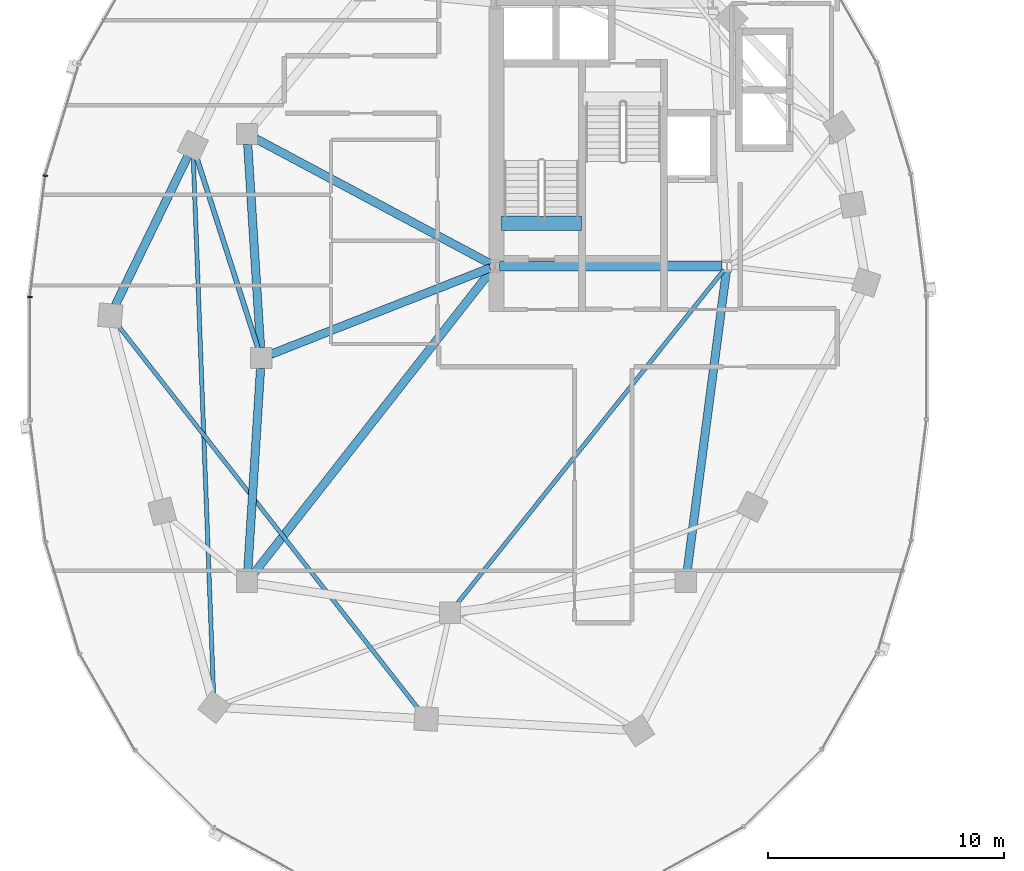
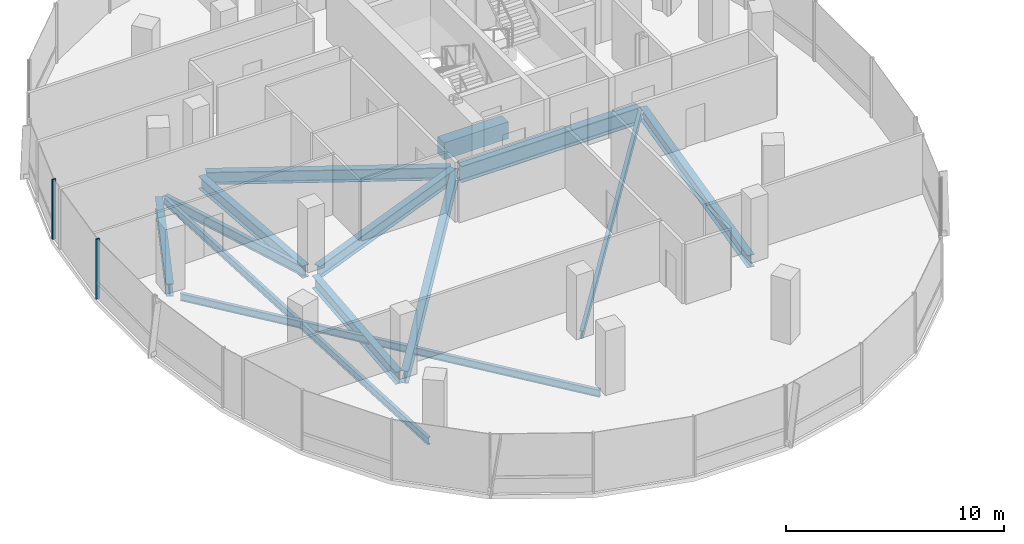
# One storey, part 3 of 22: 13 beams, 2 members, 1 element without a shape of its own.
"""IFC4 building model written with IfcOpenShell, lengths in metres."""

from ifc_helpers import new_model, si_unit, direction, frame, origin, origin_2d, place, context, subcontext, project, spatial, rectangle, i_section, extrude, material, material_profile, profile_set, type_object, element, aggregate, save


model = new_model("IFC4")

# Units and contexts
model_context = context("Model", 3, precision=1e-05, world=origin(), true_north=direction((0.0, 1.0)))
body_context = subcontext(model_context, "Body", "Model", "MODEL_VIEW")
ifc_project = project(units=[si_unit("LENGTHUNIT", "METRE"), si_unit("AREAUNIT", "SQUARE_METRE"), si_unit("VOLUMEUNIT", "CUBIC_METRE"), si_unit("PLANEANGLEUNIT", "RADIAN"), si_unit("MASSUNIT", "GRAM", prefix="KILO"), si_unit("THERMODYNAMICTEMPERATUREUNIT", "KELVIN"), si_unit("POWERUNIT", "WATT")], contexts=[model_context])

# Site, building, storey
site_placement = place(None, origin())
site = spatial("IfcSite", under=ifc_project, at=site_placement, CompositionType="ELEMENT")
building_placement = place(site_placement, origin())
building = spatial("IfcBuilding", under=site, at=building_placement, Name="Cundina Bronze Exchange", CompositionType="ELEMENT")
storey_placement = place(building_placement, frame((0.0, 0.0, 151.199951171875)))
storey = spatial("IfcBuildingStorey", under=building, at=storey_placement, Name="L39", CompositionType="ELEMENT", Elevation=151.199951171875)

# Beams
ifc_material_1 = material(Name="Concrete C60/75", Category="concrete")
ifc_material_profile_1 = material_profile(ifc_material_1, rectangle(XDim=0.60009765625, YDim=0.949951171875, at=origin_2d()), Name="RC600X950", Category="concrete")
ifc_profile_set_1 = profile_set([ifc_material_profile_1], Name="Concrete C60/75")
beam_type_1 = type_object("IfcBeamType", Name="BM-COUP-RC950", PredefinedType="LINTEL", material=ifc_profile_set_1)
beam_1_placement = place(storey_placement, frame((-31.02001953125, 5.719970703125, -0.474853515625), z_axis=(1.0, 0.0, 0.0), x_axis=(0.0, 1.0, 0.0)))
element("IfcBeam", 1, at=beam_1_placement, inside=storey, type_object=beam_type_1, Name="L39 Stair W1 Landing Header Beam", PredefinedType="LINTEL", context=body_context, shape_type="SweptSolid", body=[
    extrude(rectangle(XDim=0.60009765625, YDim=0.949951171875, at=origin_2d()), origin(), (0.0, 0.0, 1.0), 3.39990234375),
])
ifc_material_2 = material(Name="Steel ASTM A992 Grade 50", Category="steel")
ifc_material_profile_2 = material_profile(ifc_material_2, i_section(OverallWidth=0.2119140625, OverallDepth=0.5439453125, WebThickness=0.01318359375, FlangeThickness=0.021240234375, FilletRadius=0.013916015625, at=origin_2d()), Name="W21X83", Category="steel")
ifc_profile_set_2 = profile_set([ifc_material_profile_2], Name="Steel ASTM A992 Grade 50")
beam_type_2 = type_object("IfcBeamType", Name="BM-FLR-W21A", PredefinedType="BEAM", material=ifc_profile_set_2)
beam_2_placement = place(storey_placement, frame((-41.334228515625, 0.4169921875, -0.511962890625), z_axis=(-0.30669751302, 0.951807036908, 0.0), x_axis=(-0.951807036908, -0.30669751302, 0.0)))
element("IfcBeam", 2, at=beam_2_placement, inside=storey, type_object=beam_type_2, Name="L39 Leg W Radial Floor Beam 07", PredefinedType="BEAM", context=body_context, shape_type="SweptSolid", body=[
    extrude(i_section(OverallWidth=0.2119140625, OverallDepth=0.5439453125, WebThickness=0.01318359375, FlangeThickness=0.021240234375, FilletRadius=0.013916015625, at=origin_2d()), origin(), (0.0, 0.0, 1.0), 8.529541015625),
])
ifc_material_profile_3 = material_profile(ifc_material_2, i_section(OverallWidth=0.178955078125, OverallDepth=0.409912109375, WebThickness=0.0087890625, FlangeThickness=0.014404296875, FilletRadius=0.010986328125, at=origin_2d()), Name="W16X45", Category="steel")
ifc_profile_set_3 = profile_set([ifc_material_profile_3], Name="Steel ASTM A992 Grade 50")
beam_type_3 = type_object("IfcBeamType", Name="BM-JST-W16", PredefinedType="JOIST", material=ifc_profile_set_3)
beam_3_placement = place(storey_placement, frame((-21.577392578125, 3.740478515625, -0.445068359375), z_axis=(-0.624370675223, -0.781128196854, 0.0), x_axis=(0.781128196854, -0.624370675223, 0.0)))
element("IfcBeam", 3, at=beam_3_placement, inside=storey, type_object=beam_type_3, Name="L39 W Interior Core-to-Ring Joist 2", PredefinedType="JOIST", context=body_context, shape_type="SweptSolid", body=[
    extrude(i_section(OverallWidth=0.178955078125, OverallDepth=0.409912109375, WebThickness=0.0087890625, FlangeThickness=0.014404296875, FilletRadius=0.010986328125, at=origin_2d()), origin(), (0.0, 0.0, 1.0), 18.177001953125),
])
beam_4_placement = place(storey_placement, frame((-44.08154296875, 8.51220703125, -0.445068359375), z_axis=(0.037784933381, -0.999285894431, 0.0), x_axis=(0.999285894431, 0.037784933381, 0.0)))
element("IfcBeam", 4, at=beam_4_placement, inside=storey, type_object=beam_type_3, Name="L39 Leg W Lobe Floor Joist 07-10", PredefinedType="JOIST", context=body_context, shape_type="SweptSolid", body=[
    extrude(i_section(OverallWidth=0.178955078125, OverallDepth=0.409912109375, WebThickness=0.0087890625, FlangeThickness=0.014404296875, FilletRadius=0.010986328125, at=origin_2d()), origin(), (0.0, 0.0, 1.0), 22.8408203125),
])
beam_5_placement = place(storey_placement, frame((-47.299072265625, 1.416015625, -0.445068359375), z_axis=(0.616801484103, -0.787118751656, 0.0), x_axis=(0.787118751656, 0.616801484103, 0.0)))
element("IfcBeam", 5, at=beam_5_placement, inside=storey, type_object=beam_type_3, Name="L39 Leg W Lobe Floor Joist 08-11", PredefinedType="JOIST", context=body_context, shape_type="SweptSolid", body=[
    extrude(i_section(OverallWidth=0.178955078125, OverallDepth=0.409912109375, WebThickness=0.0087890625, FlangeThickness=0.014404296875, FilletRadius=0.010986328125, at=origin_2d()), origin(), (0.0, 0.0, 1.0), 20.7490234375),
])
ifc_material_profile_4 = material_profile(ifc_material_2, i_section(OverallWidth=0.35498046875, OverallDepth=0.695068359375, WebThickness=0.015380859375, FlangeThickness=0.02490234375, FilletRadius=0.01806640625, at=origin_2d()), Name="W27X146", Category="steel")
ifc_profile_set_4 = profile_set([ifc_material_profile_4], Name="Steel ASTM A992 Grade 50")
beam_type_4 = type_object("IfcBeamType", Name="BM-RING-W27", PredefinedType="USERDEFINED", material=ifc_profile_set_4)
for number, where, z_axis, x_axis, name in (
    (6, (-41.7724609375, 9.06298828125, -0.58740234375), (0.063046519736, -0.998010589297, 0.0), (0.998010589297, 0.063046519736, 0.0), "L39 W Inner Structural Ring Girder 03"),
    (7, (-41.2275390625, -0.43701171875, -0.58740234375), (-0.063046519736, -0.998010589297, 0.0), (0.998010589297, -0.063046519736, 0.0), "L39 W Inner Structural Ring Girder 04"),
):
    element("IfcBeam", number, at=place(storey_placement, frame(where, z_axis=z_axis, x_axis=x_axis)), inside=storey, type_object=beam_type_4, Name=name, ObjectType="GIRDER", PredefinedType="USERDEFINED", context=body_context, shape_type="SweptSolid", body=[
        extrude(i_section(OverallWidth=0.35498046875, OverallDepth=0.695068359375, WebThickness=0.015380859375, FlangeThickness=0.02490234375, FilletRadius=0.01806640625, at=origin_2d()), origin(), (0.0, 0.0, 1.0), 8.64306640625),
    ])
beam_6_placement = place(storey_placement, frame((-23.143310546875, -9.065673828125, -0.58740234375), z_axis=(0.129507030047, 0.991578503785, 0.0), x_axis=(-0.991578503785, 0.129507030047, 0.0)))
element("IfcBeam", 8, at=beam_6_placement, inside=storey, type_object=beam_type_4, Name="L39 W Inner Structural Ring Girder 07", ObjectType="GIRDER", PredefinedType="USERDEFINED", context=body_context, shape_type="SweptSolid", body=[
    extrude(i_section(OverallWidth=0.35498046875, OverallDepth=0.695068359375, WebThickness=0.015380859375, FlangeThickness=0.02490234375, FilletRadius=0.01806640625, at=origin_2d()), origin(), (0.0, 0.0, 1.0), 12.871826171875),
])
beam_7_placement = place(storey_placement, frame((-31.48974609375, 3.8251953125, -0.58740234375), z_axis=(-0.930405617189, -0.36653156413, 0.0), x_axis=(0.36653156413, -0.930405617189, 0.0)))
element("IfcBeam", 9, at=beam_7_placement, inside=storey, type_object=beam_type_4, Name="L39 W Core-to-Waist Tie Beam 1", ObjectType="GIRDER", PredefinedType="USERDEFINED", context=body_context, shape_type="SweptSolid", body=[
    extrude(i_section(OverallWidth=0.35498046875, OverallDepth=0.695068359375, WebThickness=0.015380859375, FlangeThickness=0.02490234375, FilletRadius=0.01806640625, at=origin_2d()), origin(), (0.0, 0.0, 1.0), 9.99853515625),
])
beam_8_placement = place(storey_placement, frame((-31.47998046875, 3.99609375, -0.58740234375), z_axis=(-0.88235534237, 0.470583733028, 0.0), x_axis=(-0.470583733028, -0.88235534237, 0.0)))
element("IfcBeam", 10, at=beam_8_placement, inside=storey, type_object=beam_type_4, Name="L39 W Core-to-Waist Tie Beam 2", ObjectType="GIRDER", PredefinedType="USERDEFINED", context=body_context, shape_type="SweptSolid", body=[
    extrude(i_section(OverallWidth=0.35498046875, OverallDepth=0.695068359375, WebThickness=0.015380859375, FlangeThickness=0.02490234375, FilletRadius=0.01806640625, at=origin_2d()), origin(), (0.0, 0.0, 1.0), 11.258056640625),
])
beam_9_placement = place(storey_placement, frame((-31.42578125, 3.739501953125, -0.58740234375), z_axis=(-0.616779109924, -0.787136283982, 0.0), x_axis=(0.787136283982, -0.616779109924, 0.0)))
element("IfcBeam", 11, at=beam_9_placement, inside=storey, type_object=beam_type_4, Name="L39 W Core-to-Waist Tie Beam 3", ObjectType="GIRDER", PredefinedType="USERDEFINED", context=body_context, shape_type="SweptSolid", body=[
    extrude(i_section(OverallWidth=0.35498046875, OverallDepth=0.695068359375, WebThickness=0.015380859375, FlangeThickness=0.02490234375, FilletRadius=0.01806640625, at=origin_2d()), origin(), (0.0, 0.0, 1.0), 16.3818359375),
])
beam_10_placement = place(storey_placement, frame((-44.3134765625, 8.56103515625, -0.58740234375), z_axis=(-0.437196998825, -0.89936576776, 0.0), x_axis=(0.89936576776, -0.437196998825, 0.0)))
element("IfcBeam", 12, at=beam_10_placement, inside=storey, type_object=beam_type_4, Name="L39 W Perimeter Ring Girder 07", ObjectType="GIRDER", PredefinedType="USERDEFINED", context=body_context, shape_type="SweptSolid", body=[
    extrude(i_section(OverallWidth=0.35498046875, OverallDepth=0.695068359375, WebThickness=0.015380859375, FlangeThickness=0.02490234375, FilletRadius=0.01806640625, at=origin_2d()), origin(), (0.0, 0.0, 1.0), 7.029541015625),
])
ifc_material_profile_5 = material_profile(ifc_material_2, i_section(OverallWidth=0.41796875, OverallDepth=0.927001953125, WebThickness=0.019287109375, FlangeThickness=0.031982421875, FilletRadius=0.02392578125, at=origin_2d()), Name="W36X231", Category="steel")
ifc_profile_set_5 = profile_set([ifc_material_profile_5], Name="Steel ASTM A992 Grade 50")
beam_type_5 = type_object("IfcBeamType", Name="BM-WRN-W36B", PredefinedType="USERDEFINED", material=ifc_profile_set_5)
beam_11_placement = place(storey_placement, frame((-31.095947265625, 3.89990234375, -0.703369140625), z_axis=(1.0, 0.0, 0.0), x_axis=(0.0, 1.0, 0.0)))
element("IfcBeam", 13, at=beam_11_placement, inside=storey, type_object=beam_type_5, Name="L39 W Core Perimeter Tie Girder 1", ObjectType="GIRDER", PredefinedType="USERDEFINED", context=body_context, shape_type="SweptSolid", body=[
    extrude(i_section(OverallWidth=0.41796875, OverallDepth=0.927001953125, WebThickness=0.019287109375, FlangeThickness=0.031982421875, FilletRadius=0.02392578125, at=origin_2d()), origin(), (0.0, 0.0, 1.0), 9.44189453125),
])

# Curtain wall, members
ifc_material_3 = material(Name="Anodised Bronze Aluminium 6063-T6", Category="aluminium")
curtain_wall_type = type_object("IfcCurtainWallType", Name="CWS-WST-PIN", PredefinedType="NOTDEFINED", material=ifc_material_3)
curtain_wall_placement = place(storey_placement, origin())
curtain_wall = element("IfcCurtainWall", 14, at=curtain_wall_placement, inside=storey, type_object=curtain_wall_type, Name="L39 CW-04 Curtain Wall Run CWR-L39-W2", PredefinedType="NOTDEFINED")
ifc_material_profile_6 = material_profile(ifc_material_3, rectangle(XDim=0.070068359375, YDim=0.18994140625, at=origin_2d()), Name="AL70X190", Category="aluminium")
ifc_profile_set_6 = profile_set([ifc_material_profile_6], Name="Anodised Bronze Aluminium 6063-T6")
member_type = type_object("IfcMemberType", Name="CWM-MUL-190", PredefinedType="MULLION", material=ifc_profile_set_6)
member_1_placement = place(storey_placement, frame((-50.357177734375, 7.731689453125, 0.0), z_axis=(0.0, 0.0, 1.0), x_axis=(-0.126545236492, -0.991960837494, 0.0)))
member_1 = element("IfcMember", 15, at=member_1_placement, type_object=member_type, Name="CW-04 Mullion 6", PredefinedType="MULLION", context=body_context, shape_type="SweptSolid", body=[
    extrude(rectangle(XDim=0.070068359375, YDim=0.18994140625, at=origin_2d()), origin(), (0.0, 0.0, 1.0), 3.360107421875),
])
member_2_placement = place(storey_placement, frame((-51.007080078125, 2.593017578125, 0.0), z_axis=(0.0, 0.0, 1.0), x_axis=(0.0, -1.0, 0.0)))
member_2 = element("IfcMember", 16, at=member_2_placement, type_object=member_type, Name="CW-04 Mullion 7", PredefinedType="MULLION", context=body_context, shape_type="SweptSolid", body=[
    extrude(rectangle(XDim=0.070068359375, YDim=0.18994140625, at=origin_2d()), origin(), (0.0, 0.0, 1.0), 3.360107421875),
])
aggregate(curtain_wall, [member_1, member_2])

save(model, "model.ifc")
